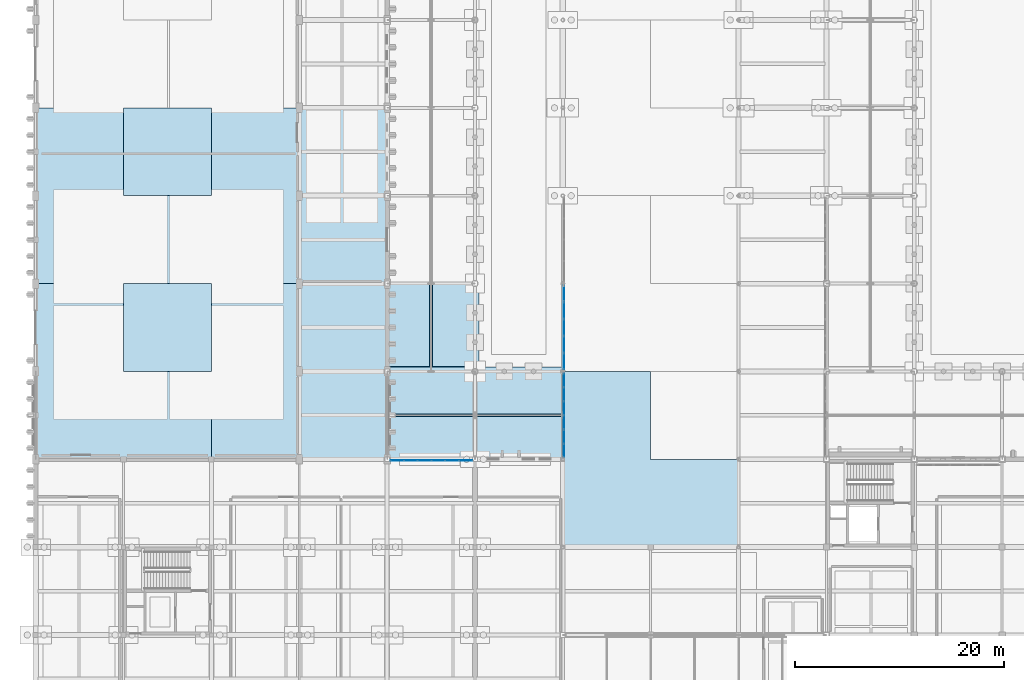
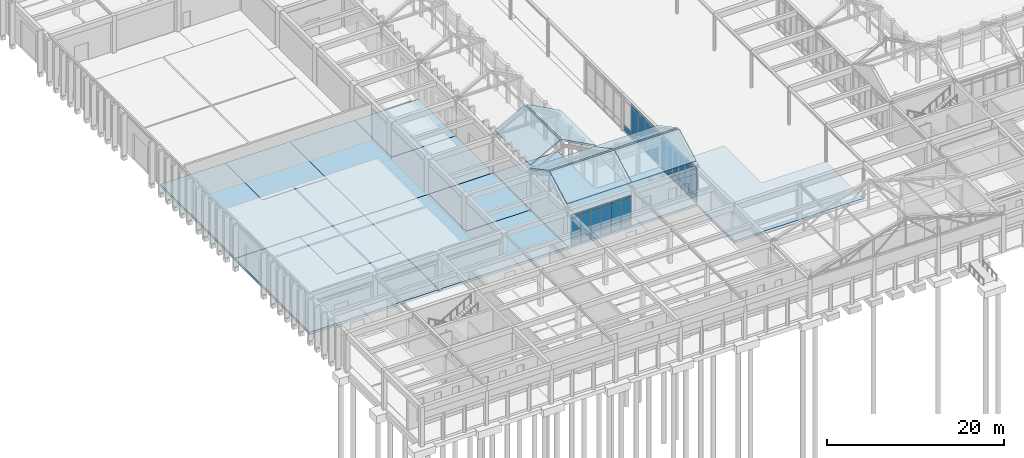
# One storey, part 71 of 143: 49 plates, 16 slabs, 3 elements without a shape of their own.
"""IFC4 building model written with IfcOpenShell, lengths in metres."""

from ifc_helpers import new_model, si_unit, direction, frame, origin, origin_2d, place, context, subcontext, project, spatial, polyline, rectangle, outline, extrude, material, layer, layer_set, type_object, element, aggregate, save


model = new_model("IFC4")

# Units and contexts
model_context = context("Model", 3, precision=1e-05, world=origin(), true_north=direction((0.0, 1.0)))
body_context = subcontext(model_context, "Body", "Model", "MODEL_VIEW")
ifc_project = project(units=[si_unit("LENGTHUNIT", "METRE"), si_unit("AREAUNIT", "SQUARE_METRE"), si_unit("VOLUMEUNIT", "CUBIC_METRE"), si_unit("PLANEANGLEUNIT", "RADIAN"), si_unit("MASSUNIT", "GRAM", prefix="KILO")], contexts=[model_context])

# Site, building, storey
site_placement = place(None, origin())
site = spatial("IfcSite", under=ifc_project, at=site_placement, CompositionType="ELEMENT")
building_placement = place(site_placement, origin())
building = spatial("IfcBuilding", under=site, at=building_placement, Name="Kveldsbrygga Polytechnic", CompositionType="ELEMENT")
storey_placement = place(building_placement, origin())
storey = spatial("IfcBuildingStorey", under=building, at=storey_placement, Name="L00", CompositionType="ELEMENT", Elevation=0.0)

# Curtain wall, plates
ifc_material_1 = material(Name="Anodised aluminium AW-6060", Category="aluminium")
ifc_layer_1 = layer(ifc_material_1, 0.179931640625)
ifc_layer_set_1 = layer_set([ifc_layer_1], Name="Anodised aluminium AW-6060")
curtain_wall_type_1 = type_object("IfcCurtainWallType", Name="CW-CONC-A", PredefinedType="USERDEFINED", material=ifc_layer_set_1)
curtain_wall_1_placement = place(storey_placement, origin())
curtain_wall_1 = element("IfcCurtainWall", 1, at=curtain_wall_1_placement, inside=storey, type_object=curtain_wall_type_1, Name="Curtain Wall CW-L00-X-04-03", ObjectType="UNITISED CURTAIN WALL", PredefinedType="USERDEFINED")
ifc_material_2 = material(Name="Insulated triple low-E glass", Category="glass")
ifc_layer_2 = layer(ifc_material_2, 0.035888671875)
ifc_layer_set_2 = layer_set([ifc_layer_2], Name="Insulated triple low-E glass")
plate_type_1 = type_object("IfcPlateType", Name="CW-PAN-VIS36", PredefinedType="CURTAIN_PANEL", material=ifc_layer_set_2)
plate_1_placement = place(storey_placement, frame((34.558837890625, 25.10009765625, 0.06005859375), z_axis=(0.0, 0.0, 1.0), x_axis=(1.0, 0.0, 0.0)))
plate_1 = element("IfcPlate", 2, at=plate_1_placement, type_object=plate_type_1, Name="CW-01 panel 1.1", PredefinedType="CURTAIN_PANEL", context=body_context, shape_type="SweptSolid", body=[
    extrude(rectangle(XDim=1.2275390625, YDim=0.035888671875, at=origin_2d()), origin(), (0.0, 0.0, 1.0), 0.81005859375),
])
plate_2_placement = place(storey_placement, frame((34.558837890625, 25.10009765625, 0.93017578125), z_axis=(0.0, 0.0, 1.0), x_axis=(1.0, 0.0, 0.0)))
plate_2 = element("IfcPlate", 3, at=plate_2_placement, type_object=plate_type_1, Name="CW-01 panel 1.2", PredefinedType="CURTAIN_PANEL", context=body_context, shape_type="SweptSolid", body=[
    extrude(rectangle(XDim=1.2275390625, YDim=0.035888671875, at=origin_2d()), origin(), (0.0, 0.0, 1.0), 2.8798828125),
])
plate_3_placement = place(storey_placement, frame((34.558837890625, 25.10009765625, 3.8701171875), z_axis=(0.0, 0.0, 1.0), x_axis=(1.0, 0.0, 0.0)))
plate_3 = element("IfcPlate", 4, at=plate_3_placement, type_object=plate_type_1, Name="CW-01 panel 1.3", PredefinedType="CURTAIN_PANEL", context=body_context, shape_type="SweptSolid", body=[
    extrude(rectangle(XDim=1.2275390625, YDim=0.035888671875, at=origin_2d()), origin(), (0.0, 0.0, 1.0), 0.4599609375),
])
plate_4_placement = place(storey_placement, frame((35.861328125, 25.10009765625, 0.06005859375), z_axis=(0.0, 0.0, 1.0), x_axis=(1.0, 0.0, 0.0)))
plate_4 = element("IfcPlate", 5, at=plate_4_placement, type_object=plate_type_1, Name="CW-01 panel 2.1", PredefinedType="CURTAIN_PANEL", context=body_context, shape_type="SweptSolid", body=[
    extrude(rectangle(XDim=1.257568359375, YDim=0.035888671875, at=origin_2d()), origin(), (0.0, 0.0, 1.0), 0.81005859375),
])
plate_5_placement = place(storey_placement, frame((35.861328125, 25.10009765625, 0.93017578125), z_axis=(0.0, 0.0, 1.0), x_axis=(1.0, 0.0, 0.0)))
plate_5 = element("IfcPlate", 6, at=plate_5_placement, type_object=plate_type_1, Name="CW-01 panel 2.2", PredefinedType="CURTAIN_PANEL", context=body_context, shape_type="SweptSolid", body=[
    extrude(rectangle(XDim=1.257568359375, YDim=0.035888671875, at=origin_2d()), origin(), (0.0, 0.0, 1.0), 2.8798828125),
])
plate_6_placement = place(storey_placement, frame((35.861328125, 25.10009765625, 3.8701171875), z_axis=(0.0, 0.0, 1.0), x_axis=(1.0, 0.0, 0.0)))
plate_6 = element("IfcPlate", 7, at=plate_6_placement, type_object=plate_type_1, Name="CW-01 panel 2.3", PredefinedType="CURTAIN_PANEL", context=body_context, shape_type="SweptSolid", body=[
    extrude(rectangle(XDim=1.257568359375, YDim=0.035888671875, at=origin_2d()), origin(), (0.0, 0.0, 1.0), 0.4599609375),
])
plate_7_placement = place(storey_placement, frame((37.1787109375, 25.10009765625, 0.06005859375), z_axis=(0.0, 0.0, 1.0), x_axis=(1.0, 0.0, 0.0)))
plate_7 = element("IfcPlate", 8, at=plate_7_placement, type_object=plate_type_1, Name="CW-01 panel 3.1", PredefinedType="CURTAIN_PANEL", context=body_context, shape_type="SweptSolid", body=[
    extrude(rectangle(XDim=1.257568359375, YDim=0.035888671875, at=origin_2d()), origin(), (0.0, 0.0, 1.0), 0.81005859375),
])
plate_8_placement = place(storey_placement, frame((37.1787109375, 25.10009765625, 0.93017578125), z_axis=(0.0, 0.0, 1.0), x_axis=(1.0, 0.0, 0.0)))
plate_8 = element("IfcPlate", 9, at=plate_8_placement, type_object=plate_type_1, Name="CW-01 panel 3.2", PredefinedType="CURTAIN_PANEL", context=body_context, shape_type="SweptSolid", body=[
    extrude(rectangle(XDim=1.257568359375, YDim=0.035888671875, at=origin_2d()), origin(), (0.0, 0.0, 1.0), 2.8798828125),
])
plate_9_placement = place(storey_placement, frame((37.1787109375, 25.10009765625, 3.8701171875), z_axis=(0.0, 0.0, 1.0), x_axis=(1.0, 0.0, 0.0)))
plate_9 = element("IfcPlate", 10, at=plate_9_placement, type_object=plate_type_1, Name="CW-01 panel 3.3", PredefinedType="CURTAIN_PANEL", context=body_context, shape_type="SweptSolid", body=[
    extrude(rectangle(XDim=1.257568359375, YDim=0.035888671875, at=origin_2d()), origin(), (0.0, 0.0, 1.0), 0.4599609375),
])
plate_10_placement = place(storey_placement, frame((38.496337890625, 25.10009765625, 0.06005859375), z_axis=(0.0, 0.0, 1.0), x_axis=(1.0, 0.0, 0.0)))
plate_10 = element("IfcPlate", 11, at=plate_10_placement, type_object=plate_type_1, Name="CW-01 panel 4.1", PredefinedType="CURTAIN_PANEL", context=body_context, shape_type="SweptSolid", body=[
    extrude(rectangle(XDim=1.257568359375, YDim=0.035888671875, at=origin_2d()), origin(), (0.0, 0.0, 1.0), 0.81005859375),
])
plate_11_placement = place(storey_placement, frame((38.496337890625, 25.10009765625, 0.93017578125), z_axis=(0.0, 0.0, 1.0), x_axis=(1.0, 0.0, 0.0)))
plate_11 = element("IfcPlate", 12, at=plate_11_placement, type_object=plate_type_1, Name="CW-01 panel 4.2", PredefinedType="CURTAIN_PANEL", context=body_context, shape_type="SweptSolid", body=[
    extrude(rectangle(XDim=1.257568359375, YDim=0.035888671875, at=origin_2d()), origin(), (0.0, 0.0, 1.0), 2.8798828125),
])
plate_12_placement = place(storey_placement, frame((38.496337890625, 25.10009765625, 3.8701171875), z_axis=(0.0, 0.0, 1.0), x_axis=(1.0, 0.0, 0.0)))
plate_12 = element("IfcPlate", 13, at=plate_12_placement, type_object=plate_type_1, Name="CW-01 panel 4.3", PredefinedType="CURTAIN_PANEL", context=body_context, shape_type="SweptSolid", body=[
    extrude(rectangle(XDim=1.257568359375, YDim=0.035888671875, at=origin_2d()), origin(), (0.0, 0.0, 1.0), 0.4599609375),
])
plate_13_placement = place(storey_placement, frame((39.813720703125, 25.10009765625, 0.06005859375), z_axis=(0.0, 0.0, 1.0), x_axis=(1.0, 0.0, 0.0)))
plate_13 = element("IfcPlate", 14, at=plate_13_placement, type_object=plate_type_1, Name="CW-01 panel 5.1", PredefinedType="CURTAIN_PANEL", context=body_context, shape_type="SweptSolid", body=[
    extrude(rectangle(XDim=1.257568359375, YDim=0.035888671875, at=origin_2d()), origin(), (0.0, 0.0, 1.0), 0.81005859375),
])
plate_14_placement = place(storey_placement, frame((39.813720703125, 25.10009765625, 0.93017578125), z_axis=(0.0, 0.0, 1.0), x_axis=(1.0, 0.0, 0.0)))
plate_14 = element("IfcPlate", 15, at=plate_14_placement, type_object=plate_type_1, Name="CW-01 panel 5.2", PredefinedType="CURTAIN_PANEL", context=body_context, shape_type="SweptSolid", body=[
    extrude(rectangle(XDim=1.257568359375, YDim=0.035888671875, at=origin_2d()), origin(), (0.0, 0.0, 1.0), 2.8798828125),
])
plate_15_placement = place(storey_placement, frame((39.813720703125, 25.10009765625, 3.8701171875), z_axis=(0.0, 0.0, 1.0), x_axis=(1.0, 0.0, 0.0)))
plate_15 = element("IfcPlate", 16, at=plate_15_placement, type_object=plate_type_1, Name="CW-01 panel 5.3", PredefinedType="CURTAIN_PANEL", context=body_context, shape_type="SweptSolid", body=[
    extrude(rectangle(XDim=1.257568359375, YDim=0.035888671875, at=origin_2d()), origin(), (0.0, 0.0, 1.0), 0.4599609375),
])
plate_16_placement = place(storey_placement, frame((41.1162109375, 25.10009765625, 0.06005859375), z_axis=(0.0, 0.0, 1.0), x_axis=(1.0, 0.0, 0.0)))
plate_16 = element("IfcPlate", 17, at=plate_16_placement, type_object=plate_type_1, Name="CW-01 panel 6.1", PredefinedType="CURTAIN_PANEL", context=body_context, shape_type="SweptSolid", body=[
    extrude(rectangle(XDim=1.2275390625, YDim=0.035888671875, at=origin_2d()), origin(), (0.0, 0.0, 1.0), 0.81005859375),
])
plate_17_placement = place(storey_placement, frame((41.1162109375, 25.10009765625, 0.93017578125), z_axis=(0.0, 0.0, 1.0), x_axis=(1.0, 0.0, 0.0)))
plate_17 = element("IfcPlate", 18, at=plate_17_placement, type_object=plate_type_1, Name="CW-01 panel 6.2", PredefinedType="CURTAIN_PANEL", context=body_context, shape_type="SweptSolid", body=[
    extrude(rectangle(XDim=1.2275390625, YDim=0.035888671875, at=origin_2d()), origin(), (0.0, 0.0, 1.0), 2.8798828125),
])
plate_18_placement = place(storey_placement, frame((41.1162109375, 25.10009765625, 3.8701171875), z_axis=(0.0, 0.0, 1.0), x_axis=(1.0, 0.0, 0.0)))
plate_18 = element("IfcPlate", 19, at=plate_18_placement, type_object=plate_type_1, Name="CW-01 panel 6.3", PredefinedType="CURTAIN_PANEL", context=body_context, shape_type="SweptSolid", body=[
    extrude(rectangle(XDim=1.2275390625, YDim=0.035888671875, at=origin_2d()), origin(), (0.0, 0.0, 1.0), 0.4599609375),
])
aggregate(curtain_wall_1, [plate_1, plate_2, plate_3, plate_4, plate_5, plate_6, plate_7, plate_8, plate_9, plate_10, plate_11, plate_12, plate_13, plate_14, plate_15, plate_16, plate_17, plate_18])

ifc_layer_3 = layer(ifc_material_1, 0.179931640625)
ifc_layer_set_3 = layer_set([ifc_layer_3], Name="Anodised aluminium AW-6060")
curtain_wall_type_2 = type_object("IfcCurtainWallType", Name="CW-LANC-D", PredefinedType="USERDEFINED", material=ifc_layer_set_3)
curtain_wall_2_placement = place(storey_placement, origin())
curtain_wall_2 = element("IfcCurtainWall", 20, at=curtain_wall_2_placement, inside=storey, type_object=curtain_wall_type_2, Name="Curtain Wall CW-L00-Y-06-04", ObjectType="UNITISED CURTAIN WALL", PredefinedType="USERDEFINED")
plate_19_placement = place(storey_placement, frame((50.5, 34.576416015625, 0.06005859375), z_axis=(0.0, 0.0, 1.0), x_axis=(0.0, 1.0, 0.0)))
plate_19 = element("IfcPlate", 21, at=plate_19_placement, type_object=plate_type_1, Name="CW-04 panel 1.1", PredefinedType="CURTAIN_PANEL", context=body_context, shape_type="SweptSolid", body=[
    extrude(rectangle(XDim=1.5087890625, YDim=0.035888671875, at=origin_2d()), origin(), (0.0, 0.0, 1.0), 0.81005859375),
])
plate_20_placement = place(storey_placement, frame((50.5, 34.576416015625, 0.93017578125), z_axis=(0.0, 0.0, 1.0), x_axis=(0.0, 1.0, 0.0)))
plate_20 = element("IfcPlate", 22, at=plate_20_placement, type_object=plate_type_1, Name="CW-04 panel 1.2", PredefinedType="CURTAIN_PANEL", context=body_context, shape_type="SweptSolid", body=[
    extrude(rectangle(XDim=1.5087890625, YDim=0.035888671875, at=origin_2d()), origin(), (0.0, 0.0, 1.0), 3.320068359375),
])
plate_21_placement = place(storey_placement, frame((50.5, 34.576416015625, 4.31005859375), z_axis=(0.0, 0.0, 1.0), x_axis=(0.0, 1.0, 0.0)))
plate_21 = element("IfcPlate", 23, at=plate_21_placement, type_object=plate_type_1, Name="CW-04 panel 1.3", PredefinedType="CURTAIN_PANEL", context=body_context, shape_type="SweptSolid", body=[
    extrude(rectangle(XDim=1.5087890625, YDim=0.035888671875, at=origin_2d()), origin(), (0.0, 0.0, 1.0), 0.4599609375),
])
plate_22_placement = place(storey_placement, frame((50.5, 36.1787109375, 0.06005859375), z_axis=(0.0, 0.0, 1.0), x_axis=(0.0, 1.0, 0.0)))
plate_22 = element("IfcPlate", 24, at=plate_22_placement, type_object=plate_type_1, Name="CW-04 panel 2.1", PredefinedType="CURTAIN_PANEL", context=body_context, shape_type="SweptSolid", body=[
    extrude(rectangle(XDim=1.546142578125, YDim=0.035888671875, at=origin_2d()), origin(), (0.0, 0.0, 1.0), 0.81005859375),
])
plate_23_placement = place(storey_placement, frame((50.5, 36.1787109375, 0.93017578125), z_axis=(0.0, 0.0, 1.0), x_axis=(0.0, 1.0, 0.0)))
plate_23 = element("IfcPlate", 25, at=plate_23_placement, type_object=plate_type_1, Name="CW-04 panel 2.2", PredefinedType="CURTAIN_PANEL", context=body_context, shape_type="SweptSolid", body=[
    extrude(rectangle(XDim=1.546142578125, YDim=0.035888671875, at=origin_2d()), origin(), (0.0, 0.0, 1.0), 3.320068359375),
])
plate_24_placement = place(storey_placement, frame((50.5, 36.1787109375, 4.31005859375), z_axis=(0.0, 0.0, 1.0), x_axis=(0.0, 1.0, 0.0)))
plate_24 = element("IfcPlate", 26, at=plate_24_placement, type_object=plate_type_1, Name="CW-04 panel 2.3", PredefinedType="CURTAIN_PANEL", context=body_context, shape_type="SweptSolid", body=[
    extrude(rectangle(XDim=1.546142578125, YDim=0.035888671875, at=origin_2d()), origin(), (0.0, 0.0, 1.0), 0.4599609375),
])
plate_25_placement = place(storey_placement, frame((50.5, 37.800048828125, 0.06005859375), z_axis=(0.0, 0.0, 1.0), x_axis=(0.0, 1.0, 0.0)))
plate_25 = element("IfcPlate", 27, at=plate_25_placement, type_object=plate_type_1, Name="CW-04 panel 3.1", PredefinedType="CURTAIN_PANEL", context=body_context, shape_type="SweptSolid", body=[
    extrude(rectangle(XDim=1.546142578125, YDim=0.035888671875, at=origin_2d()), origin(), (0.0, 0.0, 1.0), 0.81005859375),
])
plate_26_placement = place(storey_placement, frame((50.5, 37.800048828125, 0.93017578125), z_axis=(0.0, 0.0, 1.0), x_axis=(0.0, 1.0, 0.0)))
plate_26 = element("IfcPlate", 28, at=plate_26_placement, type_object=plate_type_1, Name="CW-04 panel 3.2", PredefinedType="CURTAIN_PANEL", context=body_context, shape_type="SweptSolid", body=[
    extrude(rectangle(XDim=1.546142578125, YDim=0.035888671875, at=origin_2d()), origin(), (0.0, 0.0, 1.0), 3.320068359375),
])
plate_27_placement = place(storey_placement, frame((50.5, 37.800048828125, 4.31005859375), z_axis=(0.0, 0.0, 1.0), x_axis=(0.0, 1.0, 0.0)))
plate_27 = element("IfcPlate", 29, at=plate_27_placement, type_object=plate_type_1, Name="CW-04 panel 3.3", PredefinedType="CURTAIN_PANEL", context=body_context, shape_type="SweptSolid", body=[
    extrude(rectangle(XDim=1.546142578125, YDim=0.035888671875, at=origin_2d()), origin(), (0.0, 0.0, 1.0), 0.4599609375),
])
plate_28_placement = place(storey_placement, frame((50.5, 39.421142578125, 0.06005859375), z_axis=(0.0, 0.0, 1.0), x_axis=(0.0, 1.0, 0.0)))
plate_28 = element("IfcPlate", 30, at=plate_28_placement, type_object=plate_type_1, Name="CW-04 panel 4.1", PredefinedType="CURTAIN_PANEL", context=body_context, shape_type="SweptSolid", body=[
    extrude(rectangle(XDim=1.546142578125, YDim=0.035888671875, at=origin_2d()), origin(), (0.0, 0.0, 1.0), 0.81005859375),
])
plate_29_placement = place(storey_placement, frame((50.5, 39.421142578125, 0.93017578125), z_axis=(0.0, 0.0, 1.0), x_axis=(0.0, 1.0, 0.0)))
plate_29 = element("IfcPlate", 31, at=plate_29_placement, type_object=plate_type_1, Name="CW-04 panel 4.2", PredefinedType="CURTAIN_PANEL", context=body_context, shape_type="SweptSolid", body=[
    extrude(rectangle(XDim=1.546142578125, YDim=0.035888671875, at=origin_2d()), origin(), (0.0, 0.0, 1.0), 3.320068359375),
])
plate_30_placement = place(storey_placement, frame((50.5, 39.421142578125, 4.31005859375), z_axis=(0.0, 0.0, 1.0), x_axis=(0.0, 1.0, 0.0)))
plate_30 = element("IfcPlate", 32, at=plate_30_placement, type_object=plate_type_1, Name="CW-04 panel 4.3", PredefinedType="CURTAIN_PANEL", context=body_context, shape_type="SweptSolid", body=[
    extrude(rectangle(XDim=1.546142578125, YDim=0.035888671875, at=origin_2d()), origin(), (0.0, 0.0, 1.0), 0.4599609375),
])
plate_31_placement = place(storey_placement, frame((50.5, 41.023681640625, 0.06005859375), z_axis=(0.0, 0.0, 1.0), x_axis=(0.0, 1.0, 0.0)))
plate_31 = element("IfcPlate", 33, at=plate_31_placement, type_object=plate_type_1, Name="CW-04 panel 5.1", PredefinedType="CURTAIN_PANEL", context=body_context, shape_type="SweptSolid", body=[
    extrude(rectangle(XDim=1.5087890625, YDim=0.035888671875, at=origin_2d()), origin(), (0.0, 0.0, 1.0), 0.81005859375),
])
aggregate(curtain_wall_2, [plate_19, plate_20, plate_21, plate_22, plate_23, plate_24, plate_25, plate_26, plate_27, plate_28, plate_29, plate_30, plate_31])

ifc_layer_4 = layer(ifc_material_1, 0.159912109375)
ifc_layer_set_4 = layer_set([ifc_layer_4], Name="Anodised aluminium AW-6060")
curtain_wall_type_3 = type_object("IfcCurtainWallType", Name="CW-CLER-C", PredefinedType="USERDEFINED", material=ifc_layer_set_4)
curtain_wall_3_placement = place(storey_placement, origin())
curtain_wall_3 = element("IfcCurtainWall", 34, at=curtain_wall_3_placement, inside=storey, type_object=curtain_wall_type_3, Name="Curtain Wall CW-L00-Y-06-03", ObjectType="STICK CURTAIN WALL", PredefinedType="USERDEFINED")
ifc_layer_5 = layer(ifc_material_2, 0.048095703125)
ifc_layer_set_5 = layer_set([ifc_layer_5], Name="Insulated triple low-E glass")
plate_type_2 = type_object("IfcPlateType", Name="CW-PAN-VIS48", PredefinedType="CURTAIN_PANEL", material=ifc_layer_set_5)
plate_32_placement = place(storey_placement, frame((50.5, 26.041259765625, 0.074951171875), z_axis=(0.0, 0.0, 1.0), x_axis=(0.0, 1.0, 0.0)))
plate_32 = element("IfcPlate", 35, at=plate_32_placement, type_object=plate_type_2, Name="CW-03 panel 1.1", PredefinedType="CURTAIN_PANEL", context=body_context, shape_type="SweptSolid", body=[
    extrude(rectangle(XDim=1.238525390625, YDim=0.048095703125, at=origin_2d()), origin(), (0.0, 0.0, 1.0), 0.78759765625),
])
plate_33_placement = place(storey_placement, frame((50.5, 26.041259765625, 0.9375), z_axis=(0.0, 0.0, 1.0), x_axis=(0.0, 1.0, 0.0)))
plate_33 = element("IfcPlate", 36, at=plate_33_placement, type_object=plate_type_2, Name="CW-03 panel 1.2", PredefinedType="CURTAIN_PANEL", context=body_context, shape_type="SweptSolid", body=[
    extrude(rectangle(XDim=1.238525390625, YDim=0.048095703125, at=origin_2d()), origin(), (0.0, 0.0, 1.0), 3.304931640625),
])
plate_34_placement = place(storey_placement, frame((50.5, 26.041259765625, 4.3173828125), z_axis=(0.0, 0.0, 1.0), x_axis=(0.0, 1.0, 0.0)))
plate_34 = element("IfcPlate", 37, at=plate_34_placement, type_object=plate_type_2, Name="CW-03 panel 1.3", PredefinedType="CURTAIN_PANEL", context=body_context, shape_type="SweptSolid", body=[
    extrude(rectangle(XDim=1.238525390625, YDim=0.048095703125, at=origin_2d()), origin(), (0.0, 0.0, 1.0), 0.4375),
])
plate_35_placement = place(storey_placement, frame((50.5, 27.37353515625, 0.074951171875), z_axis=(0.0, 0.0, 1.0), x_axis=(0.0, 1.0, 0.0)))
plate_35 = element("IfcPlate", 38, at=plate_35_placement, type_object=plate_type_2, Name="CW-03 panel 2.1", PredefinedType="CURTAIN_PANEL", context=body_context, shape_type="SweptSolid", body=[
    extrude(rectangle(XDim=1.276123046875, YDim=0.048095703125, at=origin_2d()), origin(), (0.0, 0.0, 1.0), 0.78759765625),
])
plate_36_placement = place(storey_placement, frame((50.5, 27.37353515625, 0.9375), z_axis=(0.0, 0.0, 1.0), x_axis=(0.0, 1.0, 0.0)))
plate_36 = element("IfcPlate", 39, at=plate_36_placement, type_object=plate_type_2, Name="CW-03 panel 2.2", PredefinedType="CURTAIN_PANEL", context=body_context, shape_type="SweptSolid", body=[
    extrude(rectangle(XDim=1.276123046875, YDim=0.048095703125, at=origin_2d()), origin(), (0.0, 0.0, 1.0), 3.304931640625),
])
plate_37_placement = place(storey_placement, frame((50.5, 27.37353515625, 4.3173828125), z_axis=(0.0, 0.0, 1.0), x_axis=(0.0, 1.0, 0.0)))
plate_37 = element("IfcPlate", 40, at=plate_37_placement, type_object=plate_type_2, Name="CW-03 panel 2.3", PredefinedType="CURTAIN_PANEL", context=body_context, shape_type="SweptSolid", body=[
    extrude(rectangle(XDim=1.276123046875, YDim=0.048095703125, at=origin_2d()), origin(), (0.0, 0.0, 1.0), 0.4375),
])
plate_38_placement = place(storey_placement, frame((50.5, 28.724609375, 0.074951171875), z_axis=(0.0, 0.0, 1.0), x_axis=(0.0, 1.0, 0.0)))
plate_38 = element("IfcPlate", 41, at=plate_38_placement, type_object=plate_type_2, Name="CW-03 panel 3.1", PredefinedType="CURTAIN_PANEL", context=body_context, shape_type="SweptSolid", body=[
    extrude(rectangle(XDim=1.276123046875, YDim=0.048095703125, at=origin_2d()), origin(), (0.0, 0.0, 1.0), 0.78759765625),
])
plate_39_placement = place(storey_placement, frame((50.5, 28.724609375, 0.9375), z_axis=(0.0, 0.0, 1.0), x_axis=(0.0, 1.0, 0.0)))
plate_39 = element("IfcPlate", 42, at=plate_39_placement, type_object=plate_type_2, Name="CW-03 panel 3.2", PredefinedType="CURTAIN_PANEL", context=body_context, shape_type="SweptSolid", body=[
    extrude(rectangle(XDim=1.276123046875, YDim=0.048095703125, at=origin_2d()), origin(), (0.0, 0.0, 1.0), 3.304931640625),
])
plate_40_placement = place(storey_placement, frame((50.5, 28.724609375, 4.3173828125), z_axis=(0.0, 0.0, 1.0), x_axis=(0.0, 1.0, 0.0)))
plate_40 = element("IfcPlate", 43, at=plate_40_placement, type_object=plate_type_2, Name="CW-03 panel 3.3", PredefinedType="CURTAIN_PANEL", context=body_context, shape_type="SweptSolid", body=[
    extrude(rectangle(XDim=1.276123046875, YDim=0.048095703125, at=origin_2d()), origin(), (0.0, 0.0, 1.0), 0.4375),
])
plate_41_placement = place(storey_placement, frame((50.5, 30.075439453125, 0.074951171875), z_axis=(0.0, 0.0, 1.0), x_axis=(0.0, 1.0, 0.0)))
plate_41 = element("IfcPlate", 44, at=plate_41_placement, type_object=plate_type_2, Name="CW-03 panel 4.1", PredefinedType="CURTAIN_PANEL", context=body_context, shape_type="SweptSolid", body=[
    extrude(rectangle(XDim=1.276123046875, YDim=0.048095703125, at=origin_2d()), origin(), (0.0, 0.0, 1.0), 0.78759765625),
])
plate_42_placement = place(storey_placement, frame((50.5, 30.075439453125, 0.9375), z_axis=(0.0, 0.0, 1.0), x_axis=(0.0, 1.0, 0.0)))
plate_42 = element("IfcPlate", 45, at=plate_42_placement, type_object=plate_type_2, Name="CW-03 panel 4.2", PredefinedType="CURTAIN_PANEL", context=body_context, shape_type="SweptSolid", body=[
    extrude(rectangle(XDim=1.276123046875, YDim=0.048095703125, at=origin_2d()), origin(), (0.0, 0.0, 1.0), 3.304931640625),
])
plate_43_placement = place(storey_placement, frame((50.5, 30.075439453125, 4.3173828125), z_axis=(0.0, 0.0, 1.0), x_axis=(0.0, 1.0, 0.0)))
plate_43 = element("IfcPlate", 46, at=plate_43_placement, type_object=plate_type_2, Name="CW-03 panel 4.3", PredefinedType="CURTAIN_PANEL", context=body_context, shape_type="SweptSolid", body=[
    extrude(rectangle(XDim=1.276123046875, YDim=0.048095703125, at=origin_2d()), origin(), (0.0, 0.0, 1.0), 0.4375),
])
plate_44_placement = place(storey_placement, frame((50.5, 31.426513671875, 0.074951171875), z_axis=(0.0, 0.0, 1.0), x_axis=(0.0, 1.0, 0.0)))
plate_44 = element("IfcPlate", 47, at=plate_44_placement, type_object=plate_type_2, Name="CW-03 panel 5.1", PredefinedType="CURTAIN_PANEL", context=body_context, shape_type="SweptSolid", body=[
    extrude(rectangle(XDim=1.276123046875, YDim=0.048095703125, at=origin_2d()), origin(), (0.0, 0.0, 1.0), 0.78759765625),
])
plate_45_placement = place(storey_placement, frame((50.5, 31.426513671875, 0.9375), z_axis=(0.0, 0.0, 1.0), x_axis=(0.0, 1.0, 0.0)))
plate_45 = element("IfcPlate", 48, at=plate_45_placement, type_object=plate_type_2, Name="CW-03 panel 5.2", PredefinedType="CURTAIN_PANEL", context=body_context, shape_type="SweptSolid", body=[
    extrude(rectangle(XDim=1.276123046875, YDim=0.048095703125, at=origin_2d()), origin(), (0.0, 0.0, 1.0), 3.304931640625),
])
plate_46_placement = place(storey_placement, frame((50.5, 31.426513671875, 4.3173828125), z_axis=(0.0, 0.0, 1.0), x_axis=(0.0, 1.0, 0.0)))
plate_46 = element("IfcPlate", 49, at=plate_46_placement, type_object=plate_type_2, Name="CW-03 panel 5.3", PredefinedType="CURTAIN_PANEL", context=body_context, shape_type="SweptSolid", body=[
    extrude(rectangle(XDim=1.276123046875, YDim=0.048095703125, at=origin_2d()), origin(), (0.0, 0.0, 1.0), 0.4375),
])
plate_47_placement = place(storey_placement, frame((50.5, 32.7587890625, 0.074951171875), z_axis=(0.0, 0.0, 1.0), x_axis=(0.0, 1.0, 0.0)))
plate_47 = element("IfcPlate", 50, at=plate_47_placement, type_object=plate_type_2, Name="CW-03 panel 6.1", PredefinedType="CURTAIN_PANEL", context=body_context, shape_type="SweptSolid", body=[
    extrude(rectangle(XDim=1.238525390625, YDim=0.048095703125, at=origin_2d()), origin(), (0.0, 0.0, 1.0), 0.78759765625),
])
plate_48_placement = place(storey_placement, frame((50.5, 32.7587890625, 0.9375), z_axis=(0.0, 0.0, 1.0), x_axis=(0.0, 1.0, 0.0)))
plate_48 = element("IfcPlate", 51, at=plate_48_placement, type_object=plate_type_2, Name="CW-03 panel 6.2", PredefinedType="CURTAIN_PANEL", context=body_context, shape_type="SweptSolid", body=[
    extrude(rectangle(XDim=1.238525390625, YDim=0.048095703125, at=origin_2d()), origin(), (0.0, 0.0, 1.0), 3.304931640625),
])
plate_49_placement = place(storey_placement, frame((50.5, 32.7587890625, 4.3173828125), z_axis=(0.0, 0.0, 1.0), x_axis=(0.0, 1.0, 0.0)))
plate_49 = element("IfcPlate", 52, at=plate_49_placement, type_object=plate_type_2, Name="CW-03 panel 6.3", PredefinedType="CURTAIN_PANEL", context=body_context, shape_type="SweptSolid", body=[
    extrude(rectangle(XDim=1.238525390625, YDim=0.048095703125, at=origin_2d()), origin(), (0.0, 0.0, 1.0), 0.4375),
])
aggregate(curtain_wall_3, [plate_32, plate_33, plate_34, plate_35, plate_36, plate_37, plate_38, plate_39, plate_40, plate_41, plate_42, plate_43, plate_44, plate_45, plate_46, plate_47, plate_48, plate_49])

# Slabs
ifc_material_3 = material(Name="Concrete C35/45", Category="concrete")
ifc_layer_6 = layer(ifc_material_3, 0.320068359375)
ifc_layer_set_6 = layer_set([ifc_layer_6], Name="Concrete C35/45")
slab_type_1 = type_object("IfcSlabType", Name="SLB-GND-320", PredefinedType="FLOOR", material=ifc_layer_set_6)
slab_1_placement = place(storey_placement, frame((0.0, 0.0, -0.320068359375)))
element("IfcSlab", 53, at=slab_1_placement, inside=storey, type_object=slab_type_1, Name="Slab SLB-L00-V5-ARC-L01-1", PredefinedType="FLOOR", context=body_context, shape_type="SweptSolid", body=[
    extrude(outline(polyline([(33.60009765625, 25.199951171875), (33.60009765625, 33.60009765625), (33.60009765625, 42.0), (42.0, 42.0), (42.0, 33.60009765625), (50.39990234375, 33.60009765625), (50.39990234375, 25.199951171875), (42.0, 25.199951171875), (33.60009765625, 25.199951171875)])), origin(), (0.0, 0.0, 1.0), 0.320068359375),
])
slab_2_placement = place(storey_placement, frame((0.0, 0.0, -0.320068359375)))
element("IfcSlab", 54, at=slab_2_placement, inside=storey, type_object=slab_type_1, Name="Slab SLB-L00-V5-CONC-L02-1", PredefinedType="FLOOR", context=body_context, shape_type="SweptSolid", body=[
    extrude(outline(polyline([(50.39990234375, 16.800048828125), (50.39990234375, 25.199951171875), (50.39990234375, 33.60009765625), (58.800048828125, 33.60009765625), (58.800048828125, 25.199951171875), (67.199951171875, 25.199951171875), (67.199951171875, 16.800048828125), (58.800048828125, 16.800048828125), (50.39990234375, 16.800048828125)])), origin(), (0.0, 0.0, 1.0), 0.320068359375),
])
ifc_layer_7 = layer(ifc_material_3, 0.219970703125)
ifc_layer_set_7 = layer_set([ifc_layer_7], Name="Concrete C35/45")
slab_type_2 = type_object("IfcSlabType", Name="SLB-ROOF-220", PredefinedType="ROOF", material=ifc_layer_set_7)
slab_3_placement = place(storey_placement, frame((33.60009765625, 25.3798828125, 5.83203125), z_axis=(0.0, -0.472201486297, 0.881490644499), x_axis=(1.0, 0.0, 0.0)))
element("IfcSlab", 55, at=slab_3_placement, inside=storey, type_object=slab_type_2, Name="Pitched Roof Slab ARC-WS-RSLB-1-1", PredefinedType="ROOF", context=body_context, shape_type="SweptSolid", body=[
    extrude(outline(polyline([(0.0, 0.0), (8.39990234375, 0.0), (8.39990234375, 4.420058520973962), (0.0, 4.420058520973962), (0.0, 0.0)])), origin(), (0.0, 0.0, -1.0), 0.219970703125),
])
slab_4_placement = place(storey_placement, frame((33.60009765625, 29.52392578125, 7.919189453125), z_axis=(0.0, 0.472229417678, 0.881475681502), x_axis=(1.0, 0.0, 0.0)))
element("IfcSlab", 56, at=slab_4_placement, inside=storey, type_object=slab_type_2, Name="Pitched Roof Slab ARC-WS-RSLB-1-2", PredefinedType="ROOF", context=body_context, shape_type="SweptSolid", body=[
    extrude(outline(polyline([(0.0, 0.0), (8.39990234375, 0.0), (8.39990234375, 5.077932735618123), (0.0, 5.077932735618123), (0.0, 0.0)])), origin(), (0.0, 0.0, -1.0), 0.219970703125),
])
slab_5_placement = place(storey_placement, frame((42.0, 25.3798828125, 5.83203125), z_axis=(0.0, -0.472201486297, 0.881490644499), x_axis=(1.0, 0.0, 0.0)))
element("IfcSlab", 57, at=slab_5_placement, inside=storey, type_object=slab_type_2, Name="Pitched Roof Slab ARC-WS-RSLB-2-1", PredefinedType="ROOF", context=body_context, shape_type="SweptSolid", body=[
    extrude(outline(polyline([(0.0, 0.0), (8.39990234375, 0.0), (8.39990234375, 4.420058520973962), (0.0, 4.420058520973962), (0.0, 0.0)])), origin(), (0.0, 0.0, -1.0), 0.219970703125),
])
slab_6_placement = place(storey_placement, frame((42.0, 29.52392578125, 7.919189453125), z_axis=(0.0, 0.472229417678, 0.881475681502), x_axis=(1.0, 0.0, 0.0)))
element("IfcSlab", 58, at=slab_6_placement, inside=storey, type_object=slab_type_2, Name="Pitched Roof Slab ARC-WS-RSLB-2-2", PredefinedType="ROOF", context=body_context, shape_type="SweptSolid", body=[
    extrude(outline(polyline([(0.0, 0.0), (8.39990234375, 0.0), (8.39990234375, 5.077932735618123), (0.0, 5.077932735618123), (0.0, 0.0)])), origin(), (0.0, 0.0, -1.0), 0.219970703125),
])
slab_7_placement = place(storey_placement, frame((33.780029296875, 34.06005859375, 5.83203125), z_axis=(-0.472224478215, 0.0, 0.881478327683), x_axis=(0.881478327683, 0.0, 0.472224478215)))
element("IfcSlab", 59, at=slab_7_placement, inside=storey, type_object=slab_type_2, Name="Pitched Roof Slab ARC-WW-RSLB-1-1", PredefinedType="ROOF", context=body_context, shape_type="SweptSolid", body=[
    extrude(outline(polyline([(0.0, 0.0), (4.4198433148005645, 0.0), (4.4198433148005645, 7.939941406250002), (0.0, 7.939941406250002), (0.0, 0.0)])), origin(), (0.0, 0.0, -1.0), 0.219970703125),
])
slab_8_placement = place(storey_placement, frame((37.923828125, 34.06005859375, 7.919189453125), z_axis=(0.472229417678, 0.0, 0.881475681502), x_axis=(0.881475681502, 0.0, -0.472229417678)))
element("IfcSlab", 60, at=slab_8_placement, inside=storey, type_object=slab_type_2, Name="Pitched Roof Slab ARC-WW-RSLB-1-2", PredefinedType="ROOF", context=body_context, shape_type="SweptSolid", body=[
    extrude(outline(polyline([(0.0, 0.0), (5.077932735618123, 0.0), (5.077932735618123, 7.93994140625), (0.0, 7.93994140625), (0.0, 0.0)])), origin(), (0.0, 0.0, -1.0), 0.219970703125),
])
ifc_layer_8 = layer(ifc_material_3, 0.340087890625)
ifc_layer_set_8 = layer_set([ifc_layer_8], Name="Concrete C35/45")
slab_type_3 = type_object("IfcSlabType", Name="SLB-WORK-340", PredefinedType="FLOOR", material=ifc_layer_set_8)
slab_9_placement = place(storey_placement, frame((0.0, 0.0, -0.340087890625)))
element("IfcSlab", 61, at=slab_9_placement, inside=storey, type_object=slab_type_3, Name="Slab SLB-L00-V1-L01-1", PredefinedType="FLOOR", context=body_context, shape_type="SweptSolid", body=[
    extrude(outline(polyline([(0.0, 25.199951171875), (0.0, 33.60009765625), (0.0, 42.0), (8.39990234375, 42.0), (8.39990234375, 33.60009765625), (16.800048828125, 33.60009765625), (16.800048828125, 25.199951171875), (8.39990234375, 25.199951171875), (0.0, 25.199951171875)])), origin(), (0.0, 0.0, 1.0), 0.340087890625),
])
slab_10_placement = place(storey_placement, frame((0.0, 0.0, -0.340087890625)))
element("IfcSlab", 62, at=slab_10_placement, inside=storey, type_object=slab_type_3, Name="Slab SLB-L00-V1-L02-1", PredefinedType="FLOOR", context=body_context, shape_type="SweptSolid", body=[
    extrude(outline(polyline([(0.0, 42.0), (0.0, 50.39990234375), (0.0, 58.800048828125), (8.39990234375, 58.800048828125), (8.39990234375, 50.39990234375), (16.800048828125, 50.39990234375), (16.800048828125, 42.0), (8.39990234375, 42.0), (0.0, 42.0)])), origin(), (0.0, 0.0, 1.0), 0.340087890625),
])
slab_11_placement = place(storey_placement, frame((0.0, 0.0, -0.340087890625)))
element("IfcSlab", 63, at=slab_11_placement, inside=storey, type_object=slab_type_3, Name="Slab SLB-L00-V1-L06-1", PredefinedType="FLOOR", context=body_context, shape_type="SweptSolid", body=[
    extrude(outline(polyline([(16.800048828125, 25.199951171875), (16.800048828125, 33.60009765625), (16.800048828125, 42.0), (25.199951171875, 42.0), (25.199951171875, 33.60009765625), (33.60009765625, 33.60009765625), (33.60009765625, 25.199951171875), (25.199951171875, 25.199951171875), (16.800048828125, 25.199951171875)])), origin(), (0.0, 0.0, 1.0), 0.340087890625),
])
slab_12_placement = place(storey_placement, frame((0.0, 0.0, -0.340087890625)))
element("IfcSlab", 64, at=slab_12_placement, inside=storey, type_object=slab_type_3, Name="Slab SLB-L00-V1-L07-1", PredefinedType="FLOOR", context=body_context, shape_type="SweptSolid", body=[
    extrude(outline(polyline([(16.800048828125, 42.0), (16.800048828125, 50.39990234375), (16.800048828125, 58.800048828125), (25.199951171875, 58.800048828125), (25.199951171875, 50.39990234375), (33.60009765625, 50.39990234375), (33.60009765625, 42.0), (25.199951171875, 42.0), (16.800048828125, 42.0)])), origin(), (0.0, 0.0, 1.0), 0.340087890625),
])
slab_13_placement = place(storey_placement, frame((0.0, 0.0, -0.340087890625)))
element("IfcSlab", 65, at=slab_13_placement, inside=storey, type_object=slab_type_3, Name="Slab SLB-L00-V1-Z1-1", PredefinedType="FLOOR", context=body_context, shape_type="SweptSolid", body=[
    extrude(outline(polyline([(8.39990234375, 33.60009765625), (8.39990234375, 42.0), (16.800048828125, 42.0), (16.800048828125, 33.60009765625), (8.39990234375, 33.60009765625)])), origin(), (0.0, 0.0, 1.0), 0.340087890625),
])
slab_14_placement = place(storey_placement, frame((0.0, 0.0, -0.340087890625)))
element("IfcSlab", 66, at=slab_14_placement, inside=storey, type_object=slab_type_3, Name="Slab SLB-L00-V1-Z1-2", PredefinedType="FLOOR", context=body_context, shape_type="SweptSolid", body=[
    extrude(outline(polyline([(25.199951171875, 33.60009765625), (25.199951171875, 42.0), (33.60009765625, 42.0), (33.60009765625, 33.60009765625), (25.199951171875, 33.60009765625)])), origin(), (0.0, 0.0, 1.0), 0.340087890625),
])
slab_15_placement = place(storey_placement, frame((0.0, 0.0, -0.340087890625)))
element("IfcSlab", 67, at=slab_15_placement, inside=storey, type_object=slab_type_3, Name="Slab SLB-L00-V1-Z4-1", PredefinedType="FLOOR", context=body_context, shape_type="SweptSolid", body=[
    extrude(outline(polyline([(8.39990234375, 58.800048828125), (16.800048828125, 58.800048828125), (16.800048828125, 50.39990234375), (8.39990234375, 50.39990234375), (8.39990234375, 58.800048828125)])), origin(), (0.0, 0.0, 1.0), 0.340087890625),
])
slab_16_placement = place(storey_placement, frame((0.0, 0.0, -0.340087890625)))
element("IfcSlab", 68, at=slab_16_placement, inside=storey, type_object=slab_type_3, Name="Slab SLB-L00-V1-Z4-2", PredefinedType="FLOOR", context=body_context, shape_type="SweptSolid", body=[
    extrude(outline(polyline([(33.60009765625, 58.800048828125), (33.60009765625, 50.39990234375), (25.199951171875, 50.39990234375), (25.199951171875, 58.800048828125), (33.60009765625, 58.800048828125)])), origin(), (0.0, 0.0, 1.0), 0.340087890625),
])

save(model, "model.ifc")
